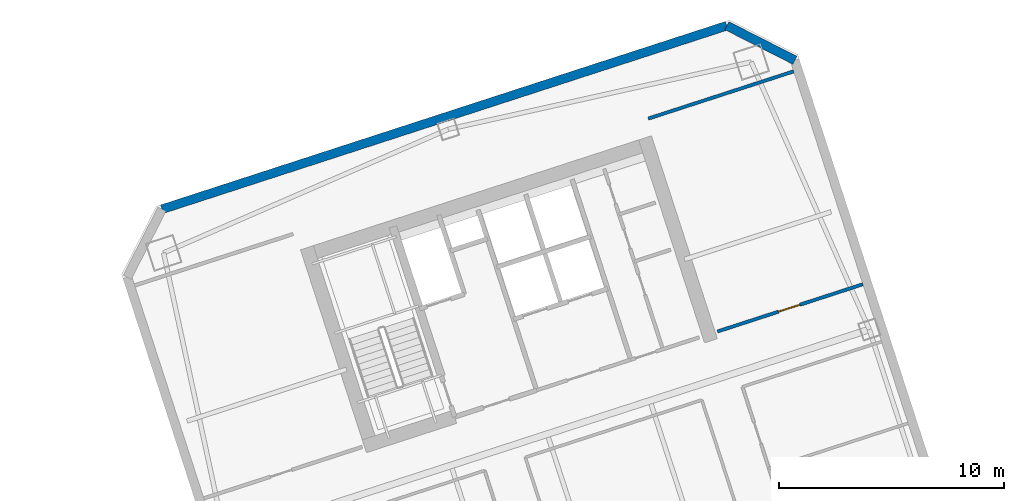
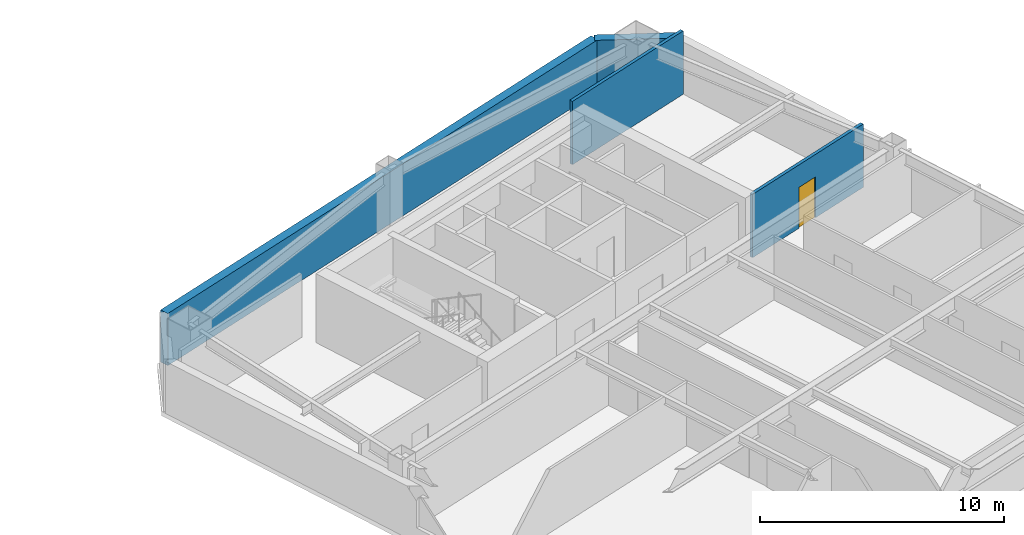
# One storey, part 11 of 14: 4 walls, 1 door, 1 opening.
"""IFC4 building model written with IfcOpenShell, lengths in metres."""

from ifc_helpers import new_model, si_unit, direction, frame, frame_2d, origin, place, context, subcontext, project, spatial, rectangle, extrude, material, layer, layer_set, type_object, element, fill, save


model = new_model("IFC4")

# Units and contexts
model_context = context("Model", 3, precision=1e-05, world=origin(), true_north=direction((0.0, 1.0)))
body_context = subcontext(model_context, "Body", "Model", "MODEL_VIEW")
ifc_project = project(units=[si_unit("LENGTHUNIT", "METRE"), si_unit("AREAUNIT", "SQUARE_METRE"), si_unit("VOLUMEUNIT", "CUBIC_METRE"), si_unit("PLANEANGLEUNIT", "RADIAN"), si_unit("MASSUNIT", "GRAM", prefix="KILO")], contexts=[model_context])

# Site, building, storey
site_placement = place(None, origin())
site = spatial("IfcSite", under=ifc_project, at=site_placement, CompositionType="ELEMENT")
building_placement = place(site_placement, origin())
building = spatial("IfcBuilding", under=site, at=building_placement, Name="Qiaolan Cultural Towers", CompositionType="ELEMENT")
storey_placement = place(building_placement, frame((0.0, 0.0, 159.85009765625)))
storey = spatial("IfcBuildingStorey", under=building, at=storey_placement, Name="L42", CompositionType="ELEMENT", Elevation=159.85009765625)

# Walls
ifc_material_1 = material(Name="Precast Concrete C50 Honed Stone Pier", Category="masonry")
ifc_layer_1 = layer(ifc_material_1, 0.39990234375)
ifc_layer_set_1 = layer_set([ifc_layer_1], Name="Precast Concrete C50 Honed Stone Pier")
wall_type_1 = type_object("IfcWallType", Name="WL-EXT-PIER-400", PredefinedType="SOLIDWALL", material=ifc_layer_set_1)
wall_1_placement = place(storey_placement, frame((70.091552734375, 52.55615234375, 0.0), z_axis=(0.0, 0.0, 1.0), x_axis=(0.951057580055, 0.30901372044, 0.0)))
element("IfcWall", 1, at=wall_1_placement, inside=storey, type_object=wall_type_1, Name="L42 East Tower Precast Pier Facade Wall F3", PredefinedType="SOLIDWALL", context=body_context, shape_type="SweptSolid", body=[
    extrude(rectangle(XDim=26.39990234375, YDim=0.39990234375, at=frame_2d((13.199951171875, 0.0))), origin(), (0.0, 0.0, 1.0), 2.60986328125),
])
wall_2_placement = place(storey_placement, frame((95.199462890625, 60.714111328125, 0.0), z_axis=(0.0, 0.0, 1.0), x_axis=(0.891020832027, -0.453962417932, 0.0)))
element("IfcWall", 2, at=wall_2_placement, inside=storey, type_object=wall_type_1, Name="L42 East Tower Precast Pier Facade Wall F4", PredefinedType="SOLIDWALL", context=body_context, shape_type="SweptSolid", body=[
    extrude(rectangle(XDim=3.39404296875, YDim=0.39990234375, at=frame_2d((1.697021484375, 0.0))), origin(), (0.0, 0.0, 1.0), 2.60986328125),
])
ifc_material_2 = material(Name="Autoclaved Aerated Concrete Block B06", Category="concrete")
ifc_layer_2 = layer(ifc_material_2, 0.14990234375)
ifc_layer_set_2 = layer_set([ifc_layer_2], Name="Autoclaved Aerated Concrete Block B06")
wall_type_2 = type_object("IfcWallType", Name="WL-PART-150", PredefinedType="PARTITIONING", material=ifc_layer_set_2)
wall_3_placement = place(storey_placement, frame((91.705078125, 56.582275390625, 0.0), z_axis=(0.0, 0.0, 1.0), x_axis=(0.951057811516, 0.309013008068, 0.0)))
element("IfcWall", 3, at=wall_3_placement, inside=storey, type_object=wall_type_2, Name="L42 T2 Flank Wall FLK-NE", PredefinedType="PARTITIONING", context=body_context, shape_type="SweptSolid", body=[
    extrude(rectangle(XDim=6.800048828125, YDim=0.14990234375, at=frame_2d((3.39990234375, 0.0))), origin(), (0.0, 0.0, 1.0), 3.1748046875),
])

# Wall, opening, door
wall_4_placement = place(storey_placement, frame((94.77978515625, 47.119140625, 0.0), z_axis=(0.0, 0.0, 1.0), x_axis=(0.951057811516, 0.309013008068, 0.0)))
wall_4 = element("IfcWall", 4, at=wall_4_placement, inside=storey, type_object=wall_type_2, Name="L42 T2 Flank Front FLK-NE", PredefinedType="PARTITIONING", context=body_context, shape_type="SweptSolid", body=[
    extrude(rectangle(XDim=6.800048828125, YDim=0.14990234375, at=frame_2d((3.39990234375, 0.0))), origin(), (0.0, 0.0, 1.0), 3.1748046875),
])
opening_placement = place(wall_4_placement, frame((2.85595703125, 0.0, 0.0)))
opening = element("IfcOpeningElement", 5, at=opening_placement, cuts=wall_4, Name="Opening ID-04", PredefinedType="OPENING", context=body_context, shape_type="SweptSolid", body=[
    extrude(rectangle(XDim=1.0, YDim=2.050048828125, at=frame_2d((0.5, 1.02490234375))), frame((0.0, 0.0849609375, 0.0), z_axis=(0.0, -1.0, 0.0), x_axis=(1.0, 0.0, 0.0)), (0.0, 0.0, 1.0), 0.169921875),
])
ifc_material_3 = material(Name="Oak Veneer Acoustic Office Door", Category="timber")
door_type = type_object("IfcDoorType", Name="DR-INT-1000", OperationType="NOTDEFINED", PredefinedType="DOOR", material=ifc_material_3)
door_placement = place(opening_placement, origin())
door = element("IfcDoor", 6, at=door_placement, inside=storey, type_object=door_type, Name="L42 T2 Corner Studio Door", OperationType="SINGLE_SWING_LEFT", OverallHeight=2.050048828125, OverallWidth=1.0, PredefinedType="DOOR", context=body_context, shape_type="SweptSolid", body=[
    extrude(rectangle(XDim=1.0, YDim=2.050048828125, at=frame_2d((0.5, 1.02490234375))), frame((0.0, 0.02490234375, 0.0), z_axis=(0.0, -1.0, 0.0), x_axis=(1.0, 0.0, 0.0)), (0.0, 0.0, 1.0), 0.050048828125),
])
fill(opening, door)

save(model, "model.ifc")
